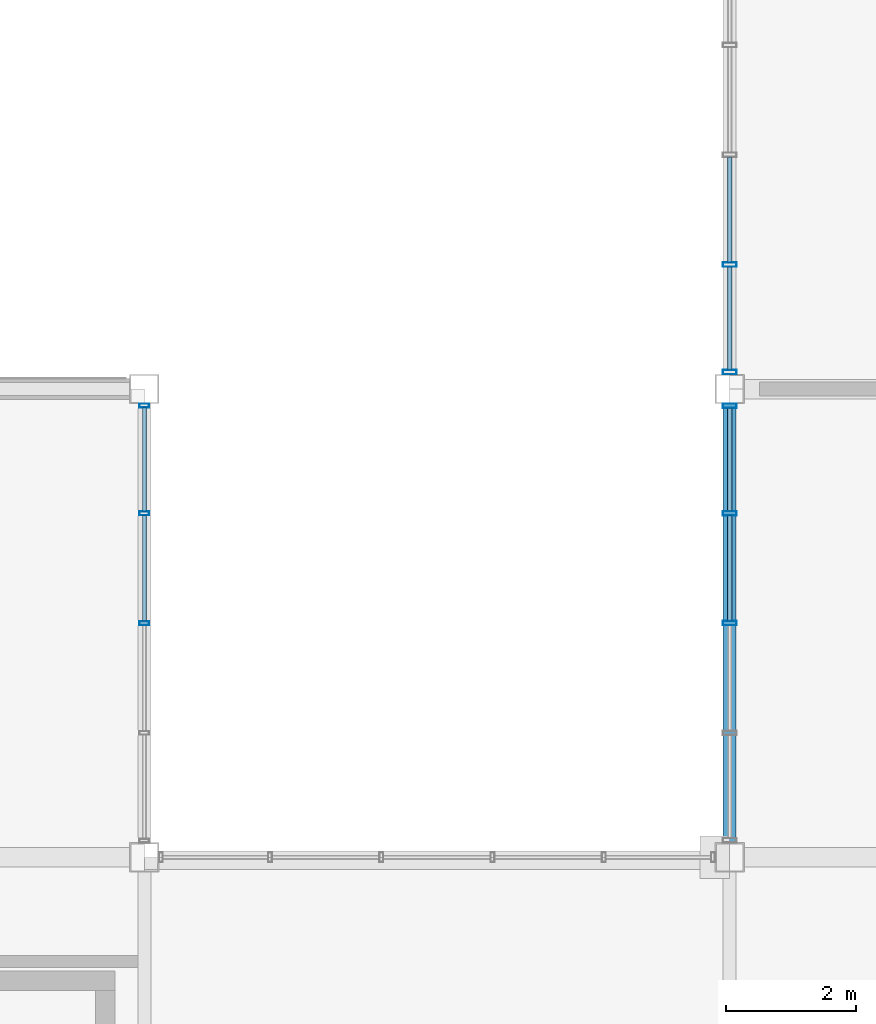
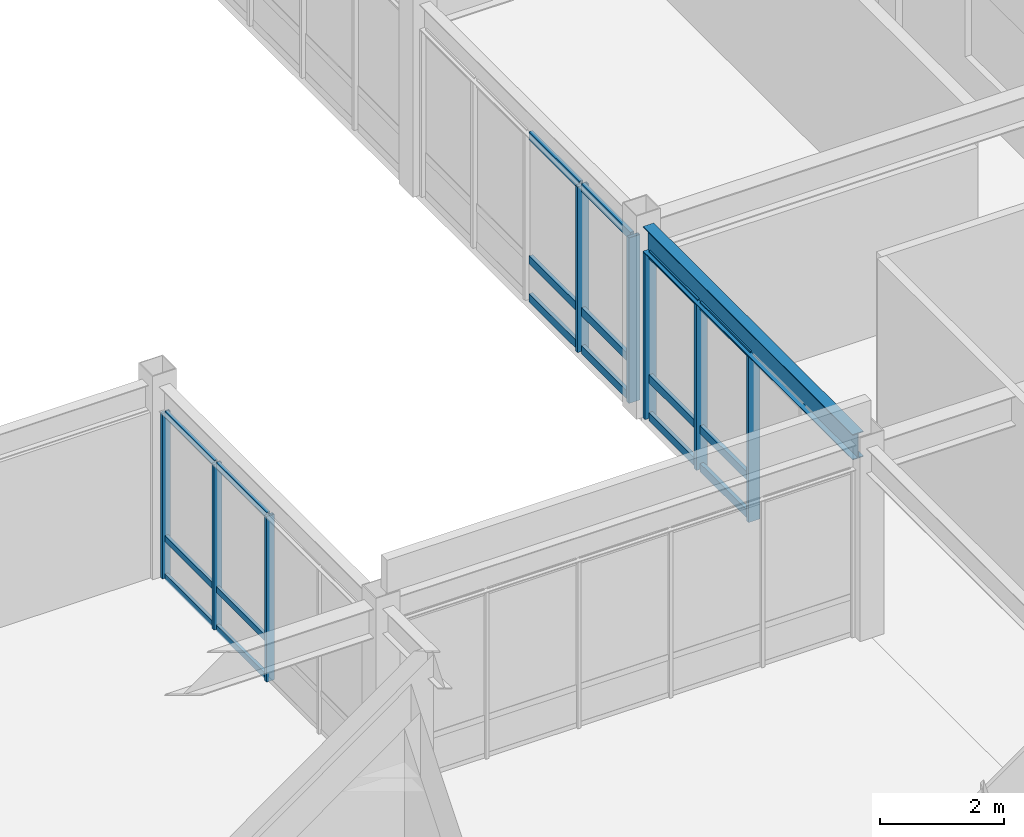
# One storey, part 29 of 122: 26 members, 1 beam, 3 elements without a shape of their own.
"""IFC4 building model written with IfcOpenShell, lengths in metres."""

import ifcopenshell
import ifcopenshell.guid

model = None  # the IFC model being written
_history = None  # IfcOwnerHistory: only IFC2X3 demands one
_inside = {}  # id of a spatial element -> (the spatial element, [elements in it])
_under = {}  # id of a project, library or spatial element -> (it, [spatial elements below it])
_declared = {}  # id of a project -> (the project, [libraries it declares])
_typed = {}  # id of a type object -> (the type object, [elements of that type])
_made_of = {}  # id of a material, layer set ... -> (it, [elements and type objects made of it])


def new_model(schema):
    """Start an empty IFC model of exactly this schema.

    Asked for "IFC4X3", IfcOpenShell would pick the latest addendum, in which some entities
    have other attributes; the version numbers below select the first issue.
    IFC2X3 requires an IfcOwnerHistory on every rooted entity: one is made here for all.
    """
    global model, _history
    if schema == "IFC4X3":
        model = ifcopenshell.file(schema_version=(4, 3, 0, 0))
    else:
        model = ifcopenshell.file(schema=schema)
    _inside.clear()
    _under.clear()
    _declared.clear()
    _typed.clear()
    _made_of.clear()
    _history = None
    if model.schema == "IFC2X3":
        org = make("IfcOrganization", Name="unknown")
        user = make(
            "IfcPersonAndOrganization",
            ThePerson=make("IfcPerson", FamilyName="unknown"),
            TheOrganization=org,
        )
        app = make(
            "IfcApplication",
            ApplicationDeveloper=org,
            Version="unknown",
            ApplicationFullName="unknown",
            ApplicationIdentifier="unknown",
        )
        _history = make(
            "IfcOwnerHistory",
            OwningUser=user,
            OwningApplication=app,
            ChangeAction="ADDED",
            CreationDate=0,
        )
    return model


def make(cls, **values):
    """One entity of the class cls with the attributes given. An attribute that is None is left unset."""
    return model.create_entity(
        cls, **{name: value for name, value in values.items() if value is not None}
    )


def rooted(cls, **values):
    """An entity with a GlobalId (a new one), such as an element, a storey or a relation."""
    return make(cls, GlobalId=ifcopenshell.guid.new(), OwnerHistory=_history, **values)


def si_unit(unit_type, name, prefix=None):
    """IfcSIUnit, for example si_unit("LENGTHUNIT", "METRE", prefix="MILLI")."""
    return make("IfcSIUnit", UnitType=unit_type, Prefix=prefix, Name=name)


def assignment(units):
    """IfcUnitAssignment: the units of a project."""
    return None if units is None else make("IfcUnitAssignment", Units=units)


def point(xyz):
    """IfcCartesianPoint."""
    return None if xyz is None else make("IfcCartesianPoint", Coordinates=xyz)


def direction(xyz):
    """IfcDirection."""
    return None if xyz is None else make("IfcDirection", DirectionRatios=xyz)


def frame(location, z_axis=None, x_axis=None):
    """IfcAxis2Placement3D, a coordinate frame: its origin and axes. An axis left out is left unset."""
    return make(
        "IfcAxis2Placement3D",
        Location=point(location),
        Axis=direction(z_axis),
        RefDirection=direction(x_axis),
    )


def frame_2d(location, x_axis=None):
    """IfcAxis2Placement2D, a coordinate frame in the plane: its origin and x axis."""
    return make(
        "IfcAxis2Placement2D", Location=point(location), RefDirection=direction(x_axis)
    )


def origin():
    """The frame at (0, 0, 0) with its axes left unset."""
    return frame((0.0, 0.0, 0.0))


def origin_2d():
    """The frame at (0, 0) in the plane with its x axis left unset."""
    return frame_2d((0.0, 0.0))


def place(relative_to, where):
    """IfcLocalPlacement: puts the frame where relative to a parent placement (None: the world)."""
    return make(
        "IfcLocalPlacement", PlacementRelTo=relative_to, RelativePlacement=where
    )


def context(
    kind, dimensions, precision=None, world=None, true_north=None, identifier=None
):
    """IfcGeometricRepresentationContext, for example the 3D "Model" context."""
    return make(
        "IfcGeometricRepresentationContext",
        ContextIdentifier=identifier,
        ContextType=kind,
        CoordinateSpaceDimension=dimensions,
        Precision=precision,
        WorldCoordinateSystem=world,
        TrueNorth=true_north,
    )


def subcontext(parent, identifier, kind, view, scale=None):
    """IfcGeometricRepresentationSubContext, for example "Body" below "Model"."""
    return make(
        "IfcGeometricRepresentationSubContext",
        ContextIdentifier=identifier,
        ContextType=kind,
        ParentContext=parent,
        TargetScale=scale,
        TargetView=view,
    )


def project(units=None, contexts=None):
    """IfcProject with its units and contexts."""
    return rooted(
        "IfcProject",
        Name="project",
        RepresentationContexts=contexts,
        UnitsInContext=assignment(units),
    )


def spatial(cls, under=None, at=None, **own):
    """A site, building, storey or space (cls), placed at a placement, below another one or the project."""
    s = rooted(cls, ObjectPlacement=at, **own)
    if under is not None:
        _under.setdefault(under.id(), (under, []))[1].append(s)
    return s


def profile(cls, at=None, kind="AREA", **sizes):
    """A parametric profile (cls). Its sizes go by their IFC names, for example OverallWidth=200.0."""
    return make(cls, ProfileType=kind, Position=at, **sizes)


def hollow_rectangle(**sizes):
    """IfcRectangleHollowProfileDef."""
    return profile("IfcRectangleHollowProfileDef", **sizes)


def i_section(**sizes):
    """IfcIShapeProfileDef."""
    return profile("IfcIShapeProfileDef", **sizes)


def extrude(swept, where, along, depth):
    """IfcExtrudedAreaSolid: the profile swept, set in the frame where, extruded along a direction by depth."""
    return make(
        "IfcExtrudedAreaSolid",
        SweptArea=swept,
        Position=where,
        ExtrudedDirection=direction(along),
        Depth=depth,
    )


def shape(context_of_items, identifier, shape_type, items):
    """IfcShapeRepresentation: the items that make up one representation, for example the "Body"."""
    return make(
        "IfcShapeRepresentation",
        ContextOfItems=context_of_items,
        RepresentationIdentifier=identifier,
        RepresentationType=shape_type,
        Items=items,
    )


def material(Name=None, Category=None):
    """IfcMaterial."""
    return make("IfcMaterial", Name=Name, Category=Category)


def material_profile(
    of_material, cross_section, Name=None, Category=None, Priority=None
):
    """IfcMaterialProfile: a cross section and its material."""
    return make(
        "IfcMaterialProfile",
        Name=Name,
        Material=of_material,
        Profile=cross_section,
        Priority=Priority,
        Category=Category,
    )


def profile_set(profiles, Name=None, composite=None):
    """IfcMaterialProfileSet."""
    return make(
        "IfcMaterialProfileSet",
        Name=Name,
        MaterialProfiles=profiles,
        CompositeProfile=composite,
    )


def made_of(thing, what):
    """Note that an element or type object is made of a material, layer set ...; save() writes the relation."""
    if what is not None:
        _made_of.setdefault(what.id(), (what, []))[1].append(thing)
    return thing


def type_object(cls, material=None, **own):
    """A type object (cls), such as IfcWallType, which elements share."""
    return made_of(rooted(cls, **own), material)


def element(
    cls,
    number,
    at=None,
    inside=None,
    cuts=None,
    type_object=None,
    material=None,
    context=None,
    identifier="Body",
    shape_type=None,
    held_by="IfcProductDefinitionShape",
    body=None,
    shapes=None,
    **own,
):
    """One element of the class cls, such as IfcWall. Its Tag is "e" and its number.

    at: its placement. inside: the storey or other place that contains it. cuts: it is an
    opening in that element (IfcRelVoidsElement). A single representation is given by context,
    identifier, shape_type and body (its items); several are given by shapes. held_by: the class
    of the entity that holds the representations. save() writes the other relations.
    """
    e = rooted(cls, Tag="e%d" % number, ObjectPlacement=at, **own)
    if body is not None:
        shapes = [shape(context, identifier, shape_type, body)]
    if shapes is not None:
        e.Representation = make(held_by, Representations=shapes)
    if inside is not None:
        _inside.setdefault(inside.id(), (inside, []))[1].append(e)
    if cuts is not None:
        rooted(
            "IfcRelVoidsElement", RelatingBuildingElement=cuts, RelatedOpeningElement=e
        )
    if type_object is not None:
        _typed.setdefault(type_object.id(), (type_object, []))[1].append(e)
    return made_of(e, material)


def aggregate(whole, parts):
    """IfcRelAggregates: a whole, such as a stair, and the parts it consists of."""
    return rooted("IfcRelAggregates", RelatingObject=whole, RelatedObjects=parts)


def save(model, path):
    """Write the relations noted so far, then the file.

    IfcRelAggregates (storeys below a building ...), IfcRelContainedInSpatialStructure (elements
    in a storey), IfcRelDefinesByType, IfcRelAssociatesMaterial and IfcRelDeclares: one each for
    every whole, place, type object, material and project.
    """
    for whole, parts in _under.values():
        aggregate(whole, parts)
    for where, things in _inside.values():
        rooted(
            "IfcRelContainedInSpatialStructure",
            RelatedElements=things,
            RelatingStructure=where,
        )
    for kind, things in _typed.values():
        rooted("IfcRelDefinesByType", RelatedObjects=things, RelatingType=kind)
    for what, things in _made_of.values():
        rooted("IfcRelAssociatesMaterial", RelatedObjects=things, RelatingMaterial=what)
    for by, libraries in _declared.values():
        rooted("IfcRelDeclares", RelatingContext=by, RelatedDefinitions=libraries)
    model.write(path)


model = new_model("IFC4")

# Units and contexts
model_context = context("Model", 3, precision=1e-05, world=origin(), true_north=direction((0.0, 1.0)))
body_context = subcontext(model_context, "Body", "Model", "MODEL_VIEW")
ifc_project = project(units=[si_unit("LENGTHUNIT", "METRE"), si_unit("AREAUNIT", "SQUARE_METRE"), si_unit("VOLUMEUNIT", "CUBIC_METRE"), si_unit("PLANEANGLEUNIT", "RADIAN"), si_unit("MASSUNIT", "GRAM", prefix="KILO")], contexts=[model_context])

# Site, building, storey
site_placement = place(None, origin())
site = spatial("IfcSite", under=ifc_project, at=site_placement, CompositionType="ELEMENT")
building_placement = place(site_placement, origin())
building = spatial("IfcBuilding", under=site, at=building_placement, Name="Kazanami Central Library", CompositionType="ELEMENT")
storey_placement = place(building_placement, frame((0.0, 0.0, 4.800048828125)))
storey = spatial("IfcBuildingStorey", under=building, at=storey_placement, Name="L02", CompositionType="ELEMENT", Elevation=4.800048828125)

# Beam
ifc_material_1 = material(Name="Steel SN490B (325 MPa)", Category="steel")
ifc_material_profile_1 = material_profile(ifc_material_1, i_section(OverallWidth=0.199951171875, OverallDepth=0.5, WebThickness=0.010009765625, FlangeThickness=0.01611328125, at=origin_2d()), Name="H-500x200x10x16")
ifc_profile_set_1 = profile_set([ifc_material_profile_1], Name="Steel SN490B (325 MPa)")
beam_type = type_object("IfcBeamType", Name="BM-SP-1", PredefinedType="SPANDREL", material=ifc_profile_set_1)
beam_placement = place(storey_placement, frame((45.0, 29.02294921875, 3.5048828125), z_axis=(0.0, 1.0, 0.0), x_axis=(-1.0, 0.0, 0.0)))
element("IfcBeam", 1, at=beam_placement, inside=storey, type_object=beam_type, Name="Girder SP-1 L02 6/E-F", PredefinedType="SPANDREL", context=body_context, shape_type="SweptSolid", body=[
    extrude(i_section(OverallWidth=0.199951171875, OverallDepth=0.5, WebThickness=0.010009765625, FlangeThickness=0.01611328125, at=origin_2d()), origin(), (0.0, 0.0, 1.0), 6.754150390625),
])

# Curtain wall, members
ifc_material_2 = material(Name="Acid-Etched Low-E Laminated Glass", Category="glass")
curtain_wall_type = type_object("IfcCurtainWallType", Name="CW-6750x3255-M180", PredefinedType="USERDEFINED", material=ifc_material_2)
curtain_wall_1_placement = place(storey_placement, origin())
curtain_wall_1 = element("IfcCurtainWall", 2, at=curtain_wall_1_placement, inside=storey, type_object=curtain_wall_type, Name="Covered Link Bridge Curtain Wall CW-21 L02 W-6-04", ObjectType="UNITISED CURTAIN WALL", PredefinedType="USERDEFINED")
ifc_material_3 = material(Name="Anodised Aluminium A6063-T5", Category="aluminium")
ifc_material_profile_2 = material_profile(ifc_material_3, hollow_rectangle(XDim=0.070068359375, YDim=0.2099609375, WallThickness=0.0048828125, at=origin_2d()), Name="ALU-MULL-70x210x5")
ifc_profile_set_2 = profile_set([ifc_material_profile_2], Name="Anodised Aluminium A6063-T5")
member_type_1 = type_object("IfcMemberType", Name="MEM-CW-M1", PredefinedType="MULLION", material=ifc_profile_set_2)
member_1_placement = place(storey_placement, frame((45.0, 32.39990234375, 0.0), z_axis=(0.0, 0.0, 1.0), x_axis=(0.0, 1.0, 0.0)))
member_1 = element("IfcMember", 3, at=member_1_placement, type_object=member_type_1, Name="CW-21 mullion 3", PredefinedType="MULLION", context=body_context, shape_type="SweptSolid", body=[
    extrude(hollow_rectangle(XDim=0.070068359375, YDim=0.2099609375, WallThickness=0.0048828125, at=origin_2d()), origin(), (0.0, 0.0, 1.0), 3.2548828125),
])
member_2_placement = place(storey_placement, frame((45.0, 34.08740234375, 0.0), z_axis=(0.0, 0.0, 1.0), x_axis=(0.0, 1.0, 0.0)))
member_2 = element("IfcMember", 4, at=member_2_placement, type_object=member_type_1, Name="CW-21 mullion 4", PredefinedType="MULLION", context=body_context, shape_type="SweptSolid", body=[
    extrude(hollow_rectangle(XDim=0.070068359375, YDim=0.2099609375, WallThickness=0.0048828125, at=origin_2d()), origin(), (0.0, 0.0, 1.0), 3.2548828125),
])
member_3_placement = place(storey_placement, frame((45.0, 35.739990234375, 0.0), z_axis=(0.0, 0.0, 1.0), x_axis=(0.0, 1.0, 0.0)))
member_3 = element("IfcMember", 5, at=member_3_placement, type_object=member_type_1, Name="CW-21 mullion 5", PredefinedType="MULLION", context=body_context, shape_type="SweptSolid", body=[
    extrude(hollow_rectangle(XDim=0.070068359375, YDim=0.2099609375, WallThickness=0.0048828125, at=origin_2d()), origin(), (0.0, 0.0, 1.0), 3.2548828125),
])

curtain_wall_2_placement = place(storey_placement, origin())
curtain_wall_2 = element("IfcCurtainWall", 6, at=curtain_wall_2_placement, inside=storey, type_object=curtain_wall_type, Name="Covered Link Bridge Curtain Wall CW-21 L02 W-6-05", ObjectType="UNITISED CURTAIN WALL", PredefinedType="USERDEFINED")
member_4_placement = place(storey_placement, frame((45.0, 36.260009765625, 0.0), z_axis=(0.0, 0.0, 1.0), x_axis=(0.0, 1.0, 0.0)))
member_4 = element("IfcMember", 7, at=member_4_placement, type_object=member_type_1, Name="CW-21 mullion 1", PredefinedType="MULLION", context=body_context, shape_type="SweptSolid", body=[
    extrude(hollow_rectangle(XDim=0.070068359375, YDim=0.2099609375, WallThickness=0.0048828125, at=origin_2d()), origin(), (0.0, 0.0, 1.0), 3.2548828125),
])
member_5_placement = place(storey_placement, frame((45.0, 37.91259765625, 0.0), z_axis=(0.0, 0.0, 1.0), x_axis=(0.0, 1.0, 0.0)))
member_5 = element("IfcMember", 8, at=member_5_placement, type_object=member_type_1, Name="CW-21 mullion 2", PredefinedType="MULLION", context=body_context, shape_type="SweptSolid", body=[
    extrude(hollow_rectangle(XDim=0.070068359375, YDim=0.2099609375, WallThickness=0.0048828125, at=origin_2d()), origin(), (0.0, 0.0, 1.0), 3.2548828125),
])

curtain_wall_3_placement = place(storey_placement, origin())
curtain_wall_3 = element("IfcCurtainWall", 9, at=curtain_wall_3_placement, inside=storey, type_object=curtain_wall_type, Name="Covered Link Bridge Curtain Wall CW-21 L02 E-5-04", ObjectType="UNITISED CURTAIN WALL", PredefinedType="USERDEFINED")
ifc_material_profile_3 = material_profile(ifc_material_3, hollow_rectangle(XDim=0.06005859375, YDim=0.14990234375, WallThickness=0.00390625, at=origin_2d()), Name="ALU-MULL-60x150x4")
ifc_profile_set_3 = profile_set([ifc_material_profile_3], Name="Anodised Aluminium A6063-T5")
member_type_2 = type_object("IfcMemberType", Name="MEM-CW-M3", PredefinedType="MULLION", material=ifc_profile_set_3)
member_6_placement = place(storey_placement, frame((36.0, 35.7451171875, 0.0), z_axis=(0.0, 0.0, 1.0), x_axis=(0.0, -1.0, 0.0)))
member_6 = element("IfcMember", 10, at=member_6_placement, type_object=member_type_2, Name="CW-21 mullion 1", PredefinedType="MULLION", context=body_context, shape_type="SweptSolid", body=[
    extrude(hollow_rectangle(XDim=0.06005859375, YDim=0.14990234375, WallThickness=0.00390625, at=origin_2d()), origin(), (0.0, 0.0, 1.0), 3.2548828125),
])
member_7_placement = place(storey_placement, frame((36.0, 34.08740234375, 0.0), z_axis=(0.0, 0.0, 1.0), x_axis=(0.0, -1.0, 0.0)))
member_7 = element("IfcMember", 11, at=member_7_placement, type_object=member_type_2, Name="CW-21 mullion 2", PredefinedType="MULLION", context=body_context, shape_type="SweptSolid", body=[
    extrude(hollow_rectangle(XDim=0.06005859375, YDim=0.14990234375, WallThickness=0.00390625, at=origin_2d()), origin(), (0.0, 0.0, 1.0), 3.2548828125),
])
member_8_placement = place(storey_placement, frame((36.0, 32.39990234375, 0.0), z_axis=(0.0, 0.0, 1.0), x_axis=(0.0, -1.0, 0.0)))
member_8 = element("IfcMember", 12, at=member_8_placement, type_object=member_type_2, Name="CW-21 mullion 3", PredefinedType="MULLION", context=body_context, shape_type="SweptSolid", body=[
    extrude(hollow_rectangle(XDim=0.06005859375, YDim=0.14990234375, WallThickness=0.00390625, at=origin_2d()), origin(), (0.0, 0.0, 1.0), 3.2548828125),
])

# Member
ifc_material_profile_4 = material_profile(ifc_material_3, hollow_rectangle(XDim=0.070068359375, YDim=0.159912109375, WallThickness=0.00390625, at=origin_2d()), Name="ALU-TRAN-70x160x4")
ifc_profile_set_4 = profile_set([ifc_material_profile_4], Name="Anodised Aluminium A6063-T5")
member_type_3 = type_object("IfcMemberType", Name="MEM-CW-T1", PredefinedType="USERDEFINED", material=ifc_profile_set_4)
member_9_placement = place(storey_placement, frame((45.0, 32.43505859375, 0.034912109375), z_axis=(0.0, 1.0, 0.0), x_axis=(-1.0, 0.0, 0.0)))
member_9 = element("IfcMember", 13, at=member_9_placement, type_object=member_type_3, Name="CW-21 transom 3.1", ObjectType="TRANSOM", PredefinedType="USERDEFINED", context=body_context, shape_type="SweptSolid", body=[
    extrude(hollow_rectangle(XDim=0.070068359375, YDim=0.159912109375, WallThickness=0.00390625, at=origin_2d()), origin(), (0.0, 0.0, 1.0), 1.617431640625),
])

member_10_placement = place(storey_placement, frame((45.0, 32.43505859375, 0.780029296875), z_axis=(0.0, 1.0, 0.0), x_axis=(-1.0, 0.0, 0.0)))
member_10 = element("IfcMember", 14, at=member_10_placement, type_object=member_type_3, Name="CW-21 transom 3.2", ObjectType="TRANSOM", PredefinedType="USERDEFINED", context=body_context, shape_type="SweptSolid", body=[
    extrude(hollow_rectangle(XDim=0.070068359375, YDim=0.159912109375, WallThickness=0.00390625, at=origin_2d()), origin(), (0.0, 0.0, 1.0), 1.617431640625),
])

member_11_placement = place(storey_placement, frame((45.0, 32.43505859375, 3.219970703125), z_axis=(0.0, 1.0, 0.0), x_axis=(-1.0, 0.0, 0.0)))
member_11 = element("IfcMember", 15, at=member_11_placement, type_object=member_type_3, Name="CW-21 transom 3.3", ObjectType="TRANSOM", PredefinedType="USERDEFINED", context=body_context, shape_type="SweptSolid", body=[
    extrude(hollow_rectangle(XDim=0.070068359375, YDim=0.159912109375, WallThickness=0.00390625, at=origin_2d()), origin(), (0.0, 0.0, 1.0), 1.617431640625),
])

member_12_placement = place(storey_placement, frame((45.0, 34.12255859375, 0.034912109375), z_axis=(0.0, 1.0, 0.0), x_axis=(-1.0, 0.0, 0.0)))
member_12 = element("IfcMember", 16, at=member_12_placement, type_object=member_type_3, Name="CW-21 transom 4.1", ObjectType="TRANSOM", PredefinedType="USERDEFINED", context=body_context, shape_type="SweptSolid", body=[
    extrude(hollow_rectangle(XDim=0.070068359375, YDim=0.159912109375, WallThickness=0.00390625, at=origin_2d()), origin(), (0.0, 0.0, 1.0), 1.58251953125),
])

member_13_placement = place(storey_placement, frame((45.0, 34.12255859375, 0.780029296875), z_axis=(0.0, 1.0, 0.0), x_axis=(-1.0, 0.0, 0.0)))
member_13 = element("IfcMember", 17, at=member_13_placement, type_object=member_type_3, Name="CW-21 transom 4.2", ObjectType="TRANSOM", PredefinedType="USERDEFINED", context=body_context, shape_type="SweptSolid", body=[
    extrude(hollow_rectangle(XDim=0.070068359375, YDim=0.159912109375, WallThickness=0.00390625, at=origin_2d()), origin(), (0.0, 0.0, 1.0), 1.58251953125),
])

member_14_placement = place(storey_placement, frame((45.0, 34.12255859375, 3.219970703125), z_axis=(0.0, 1.0, 0.0), x_axis=(-1.0, 0.0, 0.0)))
member_14 = element("IfcMember", 18, at=member_14_placement, type_object=member_type_3, Name="CW-21 transom 4.3", ObjectType="TRANSOM", PredefinedType="USERDEFINED", context=body_context, shape_type="SweptSolid", body=[
    extrude(hollow_rectangle(XDim=0.070068359375, YDim=0.159912109375, WallThickness=0.00390625, at=origin_2d()), origin(), (0.0, 0.0, 1.0), 1.58251953125),
])

aggregate(curtain_wall_1, [member_1, member_2, member_3, member_9, member_10, member_11, member_12, member_13, member_14])

member_15_placement = place(storey_placement, frame((45.0, 36.294921875, 0.034912109375), z_axis=(0.0, 1.0, 0.0), x_axis=(-1.0, 0.0, 0.0)))
member_15 = element("IfcMember", 19, at=member_15_placement, type_object=member_type_3, Name="CW-21 transom 1.1", ObjectType="TRANSOM", PredefinedType="USERDEFINED", context=body_context, shape_type="SweptSolid", body=[
    extrude(hollow_rectangle(XDim=0.070068359375, YDim=0.159912109375, WallThickness=0.00390625, at=origin_2d()), origin(), (0.0, 0.0, 1.0), 1.58251953125),
])

member_16_placement = place(storey_placement, frame((45.0, 36.294921875, 0.780029296875), z_axis=(0.0, 1.0, 0.0), x_axis=(-1.0, 0.0, 0.0)))
member_16 = element("IfcMember", 20, at=member_16_placement, type_object=member_type_3, Name="CW-21 transom 1.2", ObjectType="TRANSOM", PredefinedType="USERDEFINED", context=body_context, shape_type="SweptSolid", body=[
    extrude(hollow_rectangle(XDim=0.070068359375, YDim=0.159912109375, WallThickness=0.00390625, at=origin_2d()), origin(), (0.0, 0.0, 1.0), 1.58251953125),
])

member_17_placement = place(storey_placement, frame((45.0, 36.294921875, 3.219970703125), z_axis=(0.0, 1.0, 0.0), x_axis=(-1.0, 0.0, 0.0)))
member_17 = element("IfcMember", 21, at=member_17_placement, type_object=member_type_3, Name="CW-21 transom 1.3", ObjectType="TRANSOM", PredefinedType="USERDEFINED", context=body_context, shape_type="SweptSolid", body=[
    extrude(hollow_rectangle(XDim=0.070068359375, YDim=0.159912109375, WallThickness=0.00390625, at=origin_2d()), origin(), (0.0, 0.0, 1.0), 1.58251953125),
])

member_18_placement = place(storey_placement, frame((45.0, 37.947509765625, 0.034912109375), z_axis=(0.0, 1.0, 0.0), x_axis=(-1.0, 0.0, 0.0)))
member_18 = element("IfcMember", 22, at=member_18_placement, type_object=member_type_3, Name="CW-21 transom 2.1", ObjectType="TRANSOM", PredefinedType="USERDEFINED", context=body_context, shape_type="SweptSolid", body=[
    extrude(hollow_rectangle(XDim=0.070068359375, YDim=0.159912109375, WallThickness=0.00390625, at=origin_2d()), origin(), (0.0, 0.0, 1.0), 1.617431640625),
])

member_19_placement = place(storey_placement, frame((45.0, 37.947509765625, 0.780029296875), z_axis=(0.0, 1.0, 0.0), x_axis=(-1.0, 0.0, 0.0)))
member_19 = element("IfcMember", 23, at=member_19_placement, type_object=member_type_3, Name="CW-21 transom 2.2", ObjectType="TRANSOM", PredefinedType="USERDEFINED", context=body_context, shape_type="SweptSolid", body=[
    extrude(hollow_rectangle(XDim=0.070068359375, YDim=0.159912109375, WallThickness=0.00390625, at=origin_2d()), origin(), (0.0, 0.0, 1.0), 1.617431640625),
])

member_20_placement = place(storey_placement, frame((45.0, 37.947509765625, 3.219970703125), z_axis=(0.0, 1.0, 0.0), x_axis=(-1.0, 0.0, 0.0)))
member_20 = element("IfcMember", 24, at=member_20_placement, type_object=member_type_3, Name="CW-21 transom 2.3", ObjectType="TRANSOM", PredefinedType="USERDEFINED", context=body_context, shape_type="SweptSolid", body=[
    extrude(hollow_rectangle(XDim=0.070068359375, YDim=0.159912109375, WallThickness=0.00390625, at=origin_2d()), origin(), (0.0, 0.0, 1.0), 1.617431640625),
])

aggregate(curtain_wall_2, [member_4, member_5, member_15, member_16, member_17, member_18, member_19, member_20])

ifc_material_profile_5 = material_profile(ifc_material_3, hollow_rectangle(XDim=0.06005859375, YDim=0.1201171875, WallThickness=0.00341796875, at=origin_2d()), Name="ALU-TRAN-60x120x3.5")
ifc_profile_set_5 = profile_set([ifc_material_profile_5], Name="Anodised Aluminium A6063-T5")
member_type_4 = type_object("IfcMemberType", Name="MEM-CW-T3", PredefinedType="USERDEFINED", material=ifc_profile_set_5)
member_21_placement = place(storey_placement, frame((36.0, 35.715087890625, 0.030029296875), z_axis=(0.0, -1.0, 0.0), x_axis=(1.0, 0.0, 0.0)))
member_21 = element("IfcMember", 25, at=member_21_placement, type_object=member_type_4, Name="CW-21 transom 1.1", ObjectType="TRANSOM", PredefinedType="USERDEFINED", context=body_context, shape_type="SweptSolid", body=[
    extrude(hollow_rectangle(XDim=0.06005859375, YDim=0.1201171875, WallThickness=0.00341796875, at=origin_2d()), origin(), (0.0, 0.0, 1.0), 1.59765625),
])

member_22_placement = place(storey_placement, frame((36.0, 35.715087890625, 0.780029296875), z_axis=(0.0, -1.0, 0.0), x_axis=(1.0, 0.0, 0.0)))
member_22 = element("IfcMember", 26, at=member_22_placement, type_object=member_type_4, Name="CW-21 transom 1.2", ObjectType="TRANSOM", PredefinedType="USERDEFINED", context=body_context, shape_type="SweptSolid", body=[
    extrude(hollow_rectangle(XDim=0.06005859375, YDim=0.1201171875, WallThickness=0.00341796875, at=origin_2d()), origin(), (0.0, 0.0, 1.0), 1.59765625),
])

member_23_placement = place(storey_placement, frame((36.0, 35.715087890625, 3.224853515625), z_axis=(0.0, -1.0, 0.0), x_axis=(1.0, 0.0, 0.0)))
member_23 = element("IfcMember", 27, at=member_23_placement, type_object=member_type_4, Name="CW-21 transom 1.3", ObjectType="TRANSOM", PredefinedType="USERDEFINED", context=body_context, shape_type="SweptSolid", body=[
    extrude(hollow_rectangle(XDim=0.06005859375, YDim=0.1201171875, WallThickness=0.00341796875, at=origin_2d()), origin(), (0.0, 0.0, 1.0), 1.59765625),
])

member_24_placement = place(storey_placement, frame((36.0, 34.0576171875, 0.030029296875), z_axis=(0.0, -1.0, 0.0), x_axis=(1.0, 0.0, 0.0)))
member_24 = element("IfcMember", 28, at=member_24_placement, type_object=member_type_4, Name="CW-21 transom 2.1", ObjectType="TRANSOM", PredefinedType="USERDEFINED", context=body_context, shape_type="SweptSolid", body=[
    extrude(hollow_rectangle(XDim=0.06005859375, YDim=0.1201171875, WallThickness=0.00341796875, at=origin_2d()), origin(), (0.0, 0.0, 1.0), 1.627685546875),
])

member_25_placement = place(storey_placement, frame((36.0, 34.0576171875, 0.780029296875), z_axis=(0.0, -1.0, 0.0), x_axis=(1.0, 0.0, 0.0)))
member_25 = element("IfcMember", 29, at=member_25_placement, type_object=member_type_4, Name="CW-21 transom 2.2", ObjectType="TRANSOM", PredefinedType="USERDEFINED", context=body_context, shape_type="SweptSolid", body=[
    extrude(hollow_rectangle(XDim=0.06005859375, YDim=0.1201171875, WallThickness=0.00341796875, at=origin_2d()), origin(), (0.0, 0.0, 1.0), 1.627685546875),
])

member_26_placement = place(storey_placement, frame((36.0, 34.0576171875, 3.224853515625), z_axis=(0.0, -1.0, 0.0), x_axis=(1.0, 0.0, 0.0)))
member_26 = element("IfcMember", 30, at=member_26_placement, type_object=member_type_4, Name="CW-21 transom 2.3", ObjectType="TRANSOM", PredefinedType="USERDEFINED", context=body_context, shape_type="SweptSolid", body=[
    extrude(hollow_rectangle(XDim=0.06005859375, YDim=0.1201171875, WallThickness=0.00341796875, at=origin_2d()), origin(), (0.0, 0.0, 1.0), 1.627685546875),
])

aggregate(curtain_wall_3, [member_6, member_7, member_8, member_21, member_22, member_23, member_24, member_25, member_26])

save(model, "model.ifc")
